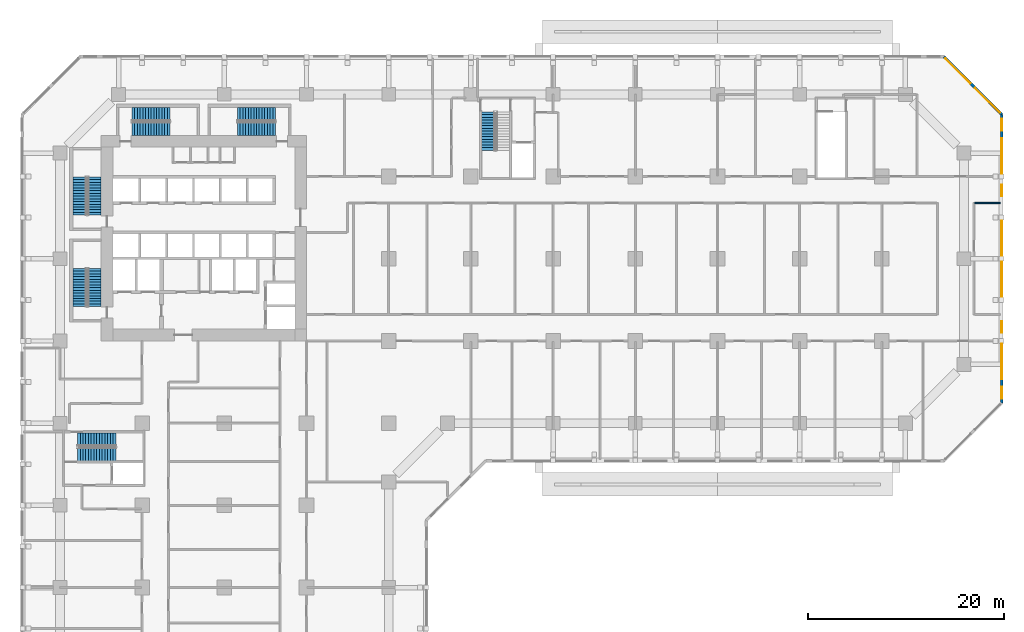
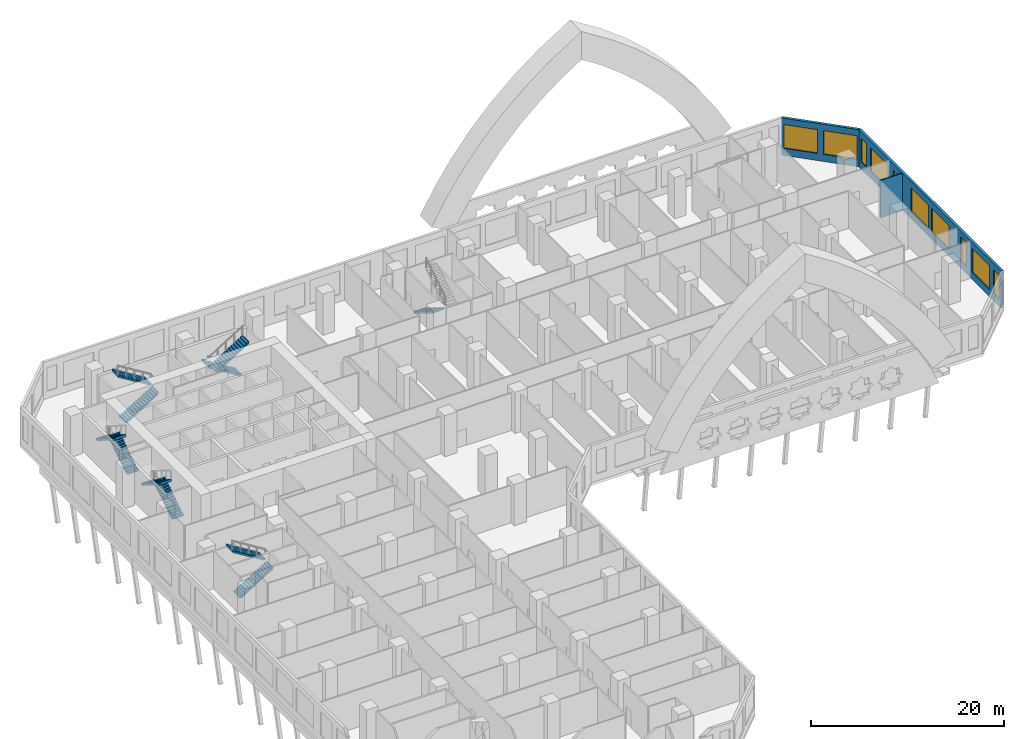
# One storey, part 17 of 25: 11 stair flights, 10 windows, 3 walls, 10 openings, 6 elements without a shape of their own.
"""IFC4 building model written with IfcOpenShell, lengths in metres."""

from ifc_helpers import new_model, si_unit, direction, frame, frame_2d, origin, place, context, subcontext, project, spatial, polyline, rectangle, outline, extrude, material, layer, layer_set, type_object, element, fill, aggregate, save


model = new_model("IFC4")

# Units and contexts
model_context = context("Model", 3, precision=1e-05, world=origin(), true_north=direction((0.0, 1.0)))
body_context = subcontext(model_context, "Body", "Model", "MODEL_VIEW")
ifc_project = project(units=[si_unit("LENGTHUNIT", "METRE"), si_unit("AREAUNIT", "SQUARE_METRE"), si_unit("VOLUMEUNIT", "CUBIC_METRE"), si_unit("PLANEANGLEUNIT", "RADIAN"), si_unit("MASSUNIT", "GRAM", prefix="KILO")], contexts=[model_context])

# Site, building, storey
site_placement = place(None, origin())
site = spatial("IfcSite", under=ifc_project, at=site_placement, CompositionType="ELEMENT")
building_placement = place(site_placement, origin())
building = spatial("IfcBuilding", under=site, at=building_placement, Name="Kawkab Arch Medical Tower", CompositionType="ELEMENT")
storey_placement = place(building_placement, frame((0.0, 0.0, 29.0)))
storey = spatial("IfcBuildingStorey", under=building, at=storey_placement, Name="L06", CompositionType="ELEMENT", Elevation=29.0)

# Wall
ifc_material_1 = material(Name="Gypsum board partition on steel studs, mineral wool", Category="steel")
ifc_layer_1 = layer(ifc_material_1, 0.14990234375)
ifc_layer_set_1 = layer_set([ifc_layer_1], Name="Gypsum board partition on steel studs, mineral wool")
wall_type_1 = type_object("IfcWallType", Name="Partition 150", PredefinedType="PARTITIONING", material=ifc_layer_set_1)
wall_1_placement = place(storey_placement, frame((93.47509765625, -11.10009765625, 0.0), z_axis=(0.0, 0.0, 1.0), x_axis=(1.0, 0.0, 0.0)))
element("IfcWall", 1, at=wall_1_placement, inside=storey, type_object=wall_type_1, Name="Partition 150 w048", PredefinedType="PARTITIONING", context=body_context, shape_type="SweptSolid", body=[
    extrude(rectangle(XDim=2.60498046875, YDim=0.14990234375, at=frame_2d((1.302490234375, 0.0))), origin(), (0.0, 0.0, 1.0), 4.699951171875),
])

# Wall, openings, windows
ifc_material_2 = material(Name="Bronze clad insulated wall panel")
ifc_layer_2 = layer(ifc_material_2, 0.300048828125)
ifc_layer_set_2 = layer_set([ifc_layer_2], Name="Bronze clad insulated wall panel")
wall_type_2 = type_object("IfcWallType", Name="Podium external wall 300", PredefinedType="SOLIDWALL", material=ifc_layer_set_2)
wall_2_placement = place(storey_placement, frame((96.25, -31.537841796875, 0.0), z_axis=(0.0, 0.0, 1.0), x_axis=(0.0, 1.0, 0.0)))
wall_2 = element("IfcWall", 2, at=wall_2_placement, inside=storey, type_object=wall_type_2, Name="Podium external wall L06 R09", PredefinedType="SOLIDWALL", context=body_context, shape_type="SweptSolid", body=[
    extrude(rectangle(XDim=29.475830078125, YDim=0.300048828125, at=frame_2d((14.73779296875, 0.0))), origin(), (0.0, 0.0, 1.0), 4.699951171875),
])
opening_1_placement = place(wall_2_placement, frame((0.43798828125, 0.0, 0.89990234375)))
opening_1 = element("IfcOpeningElement", 3, at=opening_1_placement, cuts=wall_2, Name="Opening PBW120-30-S9", PredefinedType="OPENING", context=body_context, shape_type="SweptSolid", body=[
    extrude(rectangle(XDim=1.199951171875, YDim=3.0, at=frame_2d((0.60009765625, 1.5))), frame((0.0, 0.159912109375, 0.0), z_axis=(0.0, -1.0, 0.0), x_axis=(1.0, 0.0, 0.0)), (0.0, 0.0, 1.0), 0.320068359375),
])
opening_2_placement = place(wall_2_placement, frame((2.43798828125, 0.0, 0.89990234375)))
opening_2 = element("IfcOpeningElement", 4, at=opening_2_placement, cuts=wall_2, Name="Opening PBW360-30-S9", PredefinedType="OPENING", context=body_context, shape_type="SweptSolid", body=[
    extrude(rectangle(XDim=3.60009765625, YDim=3.0, at=frame_2d((1.800048828125, 1.5))), frame((0.0, 0.159912109375, 0.0), z_axis=(0.0, -1.0, 0.0), x_axis=(1.0, 0.0, 0.0)), (0.0, 0.0, 1.0), 0.320068359375),
])
opening_3_placement = place(wall_2_placement, frame((7.162841796875, 0.0, 0.89990234375)))
opening_3 = element("IfcOpeningElement", 5, at=opening_3_placement, cuts=wall_2, Name="Opening PBW120-30-S9", PredefinedType="OPENING", context=body_context, shape_type="SweptSolid", body=[
    extrude(rectangle(XDim=1.199951171875, YDim=3.0, at=frame_2d((0.60009765625, 1.5))), frame((0.0, 0.159912109375, 0.0), z_axis=(0.0, -1.0, 0.0), x_axis=(1.0, 0.0, 0.0)), (0.0, 0.0, 1.0), 0.320068359375),
])
opening_4_placement = place(wall_2_placement, frame((10.837890625, 0.0, 0.89990234375)))
opening_4 = element("IfcOpeningElement", 6, at=opening_4_placement, cuts=wall_2, Name="Opening PBW360-30-S9", PredefinedType="OPENING", context=body_context, shape_type="SweptSolid", body=[
    extrude(rectangle(XDim=3.60009765625, YDim=3.0, at=frame_2d((1.800048828125, 1.5))), frame((0.0, 0.159912109375, 0.0), z_axis=(0.0, -1.0, 0.0), x_axis=(1.0, 0.0, 0.0)), (0.0, 0.0, 1.0), 0.320068359375),
])
opening_5_placement = place(wall_2_placement, frame((15.037841796875, 0.0, 0.89990234375)))
opening_5 = element("IfcOpeningElement", 7, at=opening_5_placement, cuts=wall_2, Name="Opening PBW360-30-S9", PredefinedType="OPENING", context=body_context, shape_type="SweptSolid", body=[
    extrude(rectangle(XDim=3.60009765625, YDim=3.0, at=frame_2d((1.800048828125, 1.5))), frame((0.0, 0.159912109375, 0.0), z_axis=(0.0, -1.0, 0.0), x_axis=(1.0, 0.0, 0.0)), (0.0, 0.0, 1.0), 0.320068359375),
])
opening_6_placement = place(wall_2_placement, frame((21.11279296875, 0.0, 0.89990234375)))
opening_6 = element("IfcOpeningElement", 8, at=opening_6_placement, cuts=wall_2, Name="Opening PBW120-30-S9", PredefinedType="OPENING", context=body_context, shape_type="SweptSolid", body=[
    extrude(rectangle(XDim=1.199951171875, YDim=3.0, at=frame_2d((0.60009765625, 1.5))), frame((0.0, 0.159912109375, 0.0), z_axis=(0.0, -1.0, 0.0), x_axis=(1.0, 0.0, 0.0)), (0.0, 0.0, 1.0), 0.320068359375),
])
opening_7_placement = place(wall_2_placement, frame((23.43798828125, 0.0, 0.89990234375)))
opening_7 = element("IfcOpeningElement", 9, at=opening_7_placement, cuts=wall_2, Name="Opening PBW360-30-S9", PredefinedType="OPENING", context=body_context, shape_type="SweptSolid", body=[
    extrude(rectangle(XDim=3.60009765625, YDim=3.0, at=frame_2d((1.800048828125, 1.5))), frame((0.0, 0.159912109375, 0.0), z_axis=(0.0, -1.0, 0.0), x_axis=(1.0, 0.0, 0.0)), (0.0, 0.0, 1.0), 0.320068359375),
])
opening_8_placement = place(wall_2_placement, frame((27.837890625, 0.0, 0.89990234375)))
opening_8 = element("IfcOpeningElement", 10, at=opening_8_placement, cuts=wall_2, Name="Opening PBW120-30-S9", PredefinedType="OPENING", context=body_context, shape_type="SweptSolid", body=[
    extrude(rectangle(XDim=1.199951171875, YDim=3.0, at=frame_2d((0.60009765625, 1.5))), frame((0.0, 0.159912109375, 0.0), z_axis=(0.0, -1.0, 0.0), x_axis=(1.0, 0.0, 0.0)), (0.0, 0.0, 1.0), 0.320068359375),
])
ifc_material_3 = material(Name="Bronze anodised aluminium louvred window", Category="aluminium")
window_type_1 = type_object("IfcWindowType", Name="Podium band window 1200 x 3000 sill 900", PartitioningType="DOUBLE_PANEL_VERTICAL", PredefinedType="WINDOW", material=ifc_material_3)
window_1_placement = place(opening_1_placement, origin())
window_1 = element("IfcWindow", 11, at=window_1_placement, inside=storey, type_object=window_type_1, Name="Band window L06 R09.1", OverallHeight=3.0, OverallWidth=1.199951171875, PartitioningType="SINGLE_PANEL", PredefinedType="WINDOW", context=body_context, shape_type="SweptSolid", body=[
    extrude(rectangle(XDim=1.199951171875, YDim=3.0, at=frame_2d((0.60009765625, 1.5))), frame((0.0, 0.030029296875, 0.0), z_axis=(0.0, -1.0, 0.0), x_axis=(1.0, 0.0, 0.0)), (0.0, 0.0, 1.0), 0.06005859375),
])
fill(opening_1, window_1)
window_2_placement = place(opening_3_placement, origin())
window_2 = element("IfcWindow", 12, at=window_2_placement, inside=storey, type_object=window_type_1, Name="Band window L06 R09.3", OverallHeight=3.0, OverallWidth=1.199951171875, PartitioningType="SINGLE_PANEL", PredefinedType="WINDOW", context=body_context, shape_type="SweptSolid", body=[
    extrude(rectangle(XDim=1.199951171875, YDim=3.0, at=frame_2d((0.60009765625, 1.5))), frame((0.0, 0.030029296875, 0.0), z_axis=(0.0, -1.0, 0.0), x_axis=(1.0, 0.0, 0.0)), (0.0, 0.0, 1.0), 0.06005859375),
])
fill(opening_3, window_2)
window_3_placement = place(opening_6_placement, origin())
window_3 = element("IfcWindow", 13, at=window_3_placement, inside=storey, type_object=window_type_1, Name="Band window L06 R09.6", OverallHeight=3.0, OverallWidth=1.199951171875, PartitioningType="SINGLE_PANEL", PredefinedType="WINDOW", context=body_context, shape_type="SweptSolid", body=[
    extrude(rectangle(XDim=1.199951171875, YDim=3.0, at=frame_2d((0.60009765625, 1.5))), frame((0.0, 0.030029296875, 0.0), z_axis=(0.0, -1.0, 0.0), x_axis=(1.0, 0.0, 0.0)), (0.0, 0.0, 1.0), 0.06005859375),
])
fill(opening_6, window_3)
window_4_placement = place(opening_8_placement, origin())
window_4 = element("IfcWindow", 14, at=window_4_placement, inside=storey, type_object=window_type_1, Name="Band window L06 R09.8", OverallHeight=3.0, OverallWidth=1.199951171875, PartitioningType="SINGLE_PANEL", PredefinedType="WINDOW", context=body_context, shape_type="SweptSolid", body=[
    extrude(rectangle(XDim=1.199951171875, YDim=3.0, at=frame_2d((0.60009765625, 1.5))), frame((0.0, 0.030029296875, 0.0), z_axis=(0.0, -1.0, 0.0), x_axis=(1.0, 0.0, 0.0)), (0.0, 0.0, 1.0), 0.06005859375),
])
fill(opening_8, window_4)
ifc_material_4 = material(Name="Bronze anodised aluminium louvred window", Category="aluminium")
window_type_2 = type_object("IfcWindowType", Name="Podium band window 3600 x 3000 sill 900", PartitioningType="DOUBLE_PANEL_VERTICAL", PredefinedType="WINDOW", material=ifc_material_4)
window_5_placement = place(opening_2_placement, origin())
window_5 = element("IfcWindow", 15, at=window_5_placement, inside=storey, type_object=window_type_2, Name="Band window L06 R09.2", OverallHeight=3.0, OverallWidth=3.60009765625, PartitioningType="SINGLE_PANEL", PredefinedType="WINDOW", context=body_context, shape_type="SweptSolid", body=[
    extrude(rectangle(XDim=3.60009765625, YDim=3.0, at=frame_2d((1.800048828125, 1.5))), frame((0.0, 0.030029296875, 0.0), z_axis=(0.0, -1.0, 0.0), x_axis=(1.0, 0.0, 0.0)), (0.0, 0.0, 1.0), 0.06005859375),
])
fill(opening_2, window_5)
window_6_placement = place(opening_4_placement, origin())
window_6 = element("IfcWindow", 16, at=window_6_placement, inside=storey, type_object=window_type_2, Name="Band window L06 R09.4", OverallHeight=3.0, OverallWidth=3.60009765625, PartitioningType="SINGLE_PANEL", PredefinedType="WINDOW", context=body_context, shape_type="SweptSolid", body=[
    extrude(rectangle(XDim=3.60009765625, YDim=3.0, at=frame_2d((1.800048828125, 1.5))), frame((0.0, 0.030029296875, 0.0), z_axis=(0.0, -1.0, 0.0), x_axis=(1.0, 0.0, 0.0)), (0.0, 0.0, 1.0), 0.06005859375),
])
fill(opening_4, window_6)
window_7_placement = place(opening_5_placement, origin())
window_7 = element("IfcWindow", 17, at=window_7_placement, inside=storey, type_object=window_type_2, Name="Band window L06 R09.5", OverallHeight=3.0, OverallWidth=3.60009765625, PartitioningType="SINGLE_PANEL", PredefinedType="WINDOW", context=body_context, shape_type="SweptSolid", body=[
    extrude(rectangle(XDim=3.60009765625, YDim=3.0, at=frame_2d((1.800048828125, 1.5))), frame((0.0, 0.030029296875, 0.0), z_axis=(0.0, -1.0, 0.0), x_axis=(1.0, 0.0, 0.0)), (0.0, 0.0, 1.0), 0.06005859375),
])
fill(opening_5, window_7)
window_8_placement = place(opening_7_placement, origin())
window_8 = element("IfcWindow", 18, at=window_8_placement, inside=storey, type_object=window_type_2, Name="Band window L06 R09.7", OverallHeight=3.0, OverallWidth=3.60009765625, PartitioningType="SINGLE_PANEL", PredefinedType="WINDOW", context=body_context, shape_type="SweptSolid", body=[
    extrude(rectangle(XDim=3.60009765625, YDim=3.0, at=frame_2d((1.800048828125, 1.5))), frame((0.0, 0.030029296875, 0.0), z_axis=(0.0, -1.0, 0.0), x_axis=(1.0, 0.0, 0.0)), (0.0, 0.0, 1.0), 0.06005859375),
])
fill(opening_7, window_8)

wall_3_placement = place(storey_placement, frame((96.25, -2.06201171875, 0.0), z_axis=(0.0, 0.0, 1.0), x_axis=(-0.707106781187, 0.707106781187, 0.0)))
wall_3 = element("IfcWall", 19, at=wall_3_placement, inside=storey, type_object=wall_type_2, Name="Podium external wall L06 R10", PredefinedType="SOLIDWALL", context=body_context, shape_type="SweptSolid", body=[
    extrude(rectangle(XDim=8.361083984375, YDim=0.300048828125, at=frame_2d((4.1806640625, 0.0))), origin(), (0.0, 0.0, 1.0), 4.699951171875),
])
opening_9_placement = place(wall_3_placement, frame((0.259033203125, 0.0, 0.89990234375)))
opening_9 = element("IfcOpeningElement", 20, at=opening_9_placement, cuts=wall_3, Name="Opening PBW360-30-S9", PredefinedType="OPENING", context=body_context, shape_type="SweptSolid", body=[
    extrude(rectangle(XDim=3.60009765625, YDim=3.0, at=frame_2d((1.800048828125, 1.5))), frame((0.0, 0.159912109375, 0.0), z_axis=(0.0, -1.0, 0.0), x_axis=(1.0, 0.0, 0.0)), (0.0, 0.0, 1.0), 0.320068359375),
])
opening_10_placement = place(wall_3_placement, frame((4.501708984375, 0.0, 0.89990234375)))
opening_10 = element("IfcOpeningElement", 21, at=opening_10_placement, cuts=wall_3, Name="Opening PBW360-30-S9", PredefinedType="OPENING", context=body_context, shape_type="SweptSolid", body=[
    extrude(rectangle(XDim=3.60009765625, YDim=3.0, at=frame_2d((1.800048828125, 1.5))), frame((0.0, 0.159912109375, 0.0), z_axis=(0.0, -1.0, 0.0), x_axis=(1.0, 0.0, 0.0)), (0.0, 0.0, 1.0), 0.320068359375),
])
window_9_placement = place(opening_9_placement, origin())
window_9 = element("IfcWindow", 22, at=window_9_placement, inside=storey, type_object=window_type_2, Name="Band window L06 R10.1", OverallHeight=3.0, OverallWidth=3.60009765625, PartitioningType="SINGLE_PANEL", PredefinedType="WINDOW", context=body_context, shape_type="SweptSolid", body=[
    extrude(rectangle(XDim=3.60009765625, YDim=3.0, at=frame_2d((1.800048828125, 1.5))), frame((0.0, 0.030029296875, 0.0), z_axis=(0.0, -1.0, 0.0), x_axis=(1.0, 0.0, 0.0)), (0.0, 0.0, 1.0), 0.06005859375),
])
fill(opening_9, window_9)
window_10_placement = place(opening_10_placement, origin())
window_10 = element("IfcWindow", 23, at=window_10_placement, inside=storey, type_object=window_type_2, Name="Band window L06 R10.2", OverallHeight=3.0, OverallWidth=3.60009765625, PartitioningType="SINGLE_PANEL", PredefinedType="WINDOW", context=body_context, shape_type="SweptSolid", body=[
    extrude(rectangle(XDim=3.60009765625, YDim=3.0, at=frame_2d((1.800048828125, 1.5))), frame((0.0, 0.030029296875, 0.0), z_axis=(0.0, -1.0, 0.0), x_axis=(1.0, 0.0, 0.0)), (0.0, 0.0, 1.0), 0.06005859375),
])
fill(opening_10, window_10)

# Stair, stair flights
ifc_material_5 = material(Name="Concrete C40/50", Category="concrete")
stair_type = type_object("IfcStairType", Name="Exit stair 1350", PredefinedType="HALF_TURN_STAIR", material=ifc_material_5)
placement = place(storey_placement, origin())
stair_1 = element("IfcStair", 24, at=placement, inside=storey, type_object=stair_type, Name="L06 Exit stair ST1", PredefinedType="HALF_TURN_STAIR")
ifc_material_6 = material(Name="Concrete C40/50", Category="concrete")
stair_flight_type = type_object("IfcStairFlightType", Name="Exit stair flight 1350", PredefinedType="STRAIGHT", material=ifc_material_6)
stair_flight_1_placement = place(storey_placement, frame((3.52490234375, -12.35009765625, 0.0), z_axis=(0.0, 0.0, 1.0), x_axis=(0.0, 1.0, 0.0)))
stair_flight_1 = element("IfcStairFlight", 25, at=stair_flight_1_placement, type_object=stair_flight_type, Name="ST1 flight 1", NumberOfRisers=15, NumberOfTreads=14, PredefinedType="STRAIGHT", RiserHeight=0.173333333, TreadLength=0.28, context=body_context, shape_type="SweptSolid", body=[
    extrude(outline(polyline([(-0.0029296875, 0.0), (-0.0029296875, 0.17333984375), (0.0, 0.17333984375), (0.280029296875, 0.17333984375), (0.280029296875, 0.3466796875), (0.56005859375, 0.3466796875), (0.56005859375, 0.52001953125), (0.840087890625, 0.52001953125), (0.840087890625, 0.693359375), (1.1201171875, 0.693359375), (1.1201171875, 0.86669921875), (1.39990234375, 0.86669921875), (1.39990234375, 1.0400390625), (1.679931640625, 1.0400390625), (1.679931640625, 1.21337890625), (1.9599609375, 1.21337890625), (1.9599609375, 1.38671875), (2.239990234375, 1.38671875), (2.239990234375, 1.56005859375), (2.52001953125, 1.56005859375), (2.52001953125, 1.7333984375), (2.800048828125, 1.7333984375), (2.800048828125, 1.90673828125), (3.080078125, 1.90673828125), (3.080078125, 2.080078125), (3.360107421875, 2.080078125), (3.360107421875, 2.25341796875), (3.639892578125, 2.25341796875), (3.639892578125, 2.4267578125), (3.919921875, 2.4267578125), (3.919921875, 2.60009765625), (3.923095703125, 2.60009765625), (3.923095703125, 2.250244140625), (3.919921875, 2.250244140625), (0.284912109375, 0.0), (-0.0029296875, 0.0)])), frame((0.0, 0.675048828125, 0.0), z_axis=(0.0, -1.0, 0.0), x_axis=(1.0, 0.0, 0.0)), (0.0, 0.0, 1.0), 1.35009765625),
])
stair_flight_2_placement = place(storey_placement, frame((2.02490234375, -8.429931640625, 2.60009765625), z_axis=(0.0, 0.0, 1.0), x_axis=(0.0, -1.0, 0.0)))
stair_flight_2 = element("IfcStairFlight", 26, at=stair_flight_2_placement, type_object=stair_flight_type, Name="ST1 flight 2", NumberOfRisers=15, NumberOfTreads=14, PredefinedType="STRAIGHT", RiserHeight=0.173333333, TreadLength=0.28, context=body_context, shape_type="SweptSolid", body=[
    extrude(outline(polyline([(-0.0029296875, 0.0), (-0.0029296875, 0.17333984375), (0.0, 0.17333984375), (0.280029296875, 0.17333984375), (0.280029296875, 0.3466796875), (0.56005859375, 0.3466796875), (0.56005859375, 0.52001953125), (0.840087890625, 0.52001953125), (0.840087890625, 0.693359375), (1.1201171875, 0.693359375), (1.1201171875, 0.86669921875), (1.39990234375, 0.86669921875), (1.39990234375, 1.0400390625), (1.679931640625, 1.0400390625), (1.679931640625, 1.21337890625), (1.9599609375, 1.21337890625), (1.9599609375, 1.38671875), (2.239990234375, 1.38671875), (2.239990234375, 1.56005859375), (2.52001953125, 1.56005859375), (2.52001953125, 1.7333984375), (2.800048828125, 1.7333984375), (2.800048828125, 1.90673828125), (3.080078125, 1.90673828125), (3.080078125, 2.080078125), (3.360107421875, 2.080078125), (3.360107421875, 2.25341796875), (3.639892578125, 2.25341796875), (3.639892578125, 2.4267578125), (3.919921875, 2.4267578125), (3.919921875, 2.60009765625), (3.923095703125, 2.60009765625), (3.923095703125, 2.250244140625), (3.919921875, 2.250244140625), (0.284912109375, 0.0), (-0.0029296875, 0.0)])), frame((0.0, 0.675048828125, 0.0), z_axis=(0.0, -1.0, 0.0), x_axis=(1.0, 0.0, 0.0)), (0.0, 0.0, 1.0), 1.35009765625),
])
aggregate(stair_1, [stair_flight_1, stair_flight_2])

stair_2 = element("IfcStair", 27, at=placement, inside=storey, type_object=stair_type, Name="L06 Exit stair ST2", PredefinedType="HALF_TURN_STAIR")
stair_flight_3_placement = place(storey_placement, frame((3.52490234375, -21.699951171875, 0.0), z_axis=(0.0, 0.0, 1.0), x_axis=(0.0, 1.0, 0.0)))
stair_flight_3 = element("IfcStairFlight", 28, at=stair_flight_3_placement, type_object=stair_flight_type, Name="ST2 flight 1", NumberOfRisers=15, NumberOfTreads=14, PredefinedType="STRAIGHT", RiserHeight=0.173333333, TreadLength=0.28, context=body_context, shape_type="SweptSolid", body=[
    extrude(outline(polyline([(-0.0029296875, 0.0), (-0.0029296875, 0.17333984375), (0.0, 0.17333984375), (0.280029296875, 0.17333984375), (0.280029296875, 0.3466796875), (0.56005859375, 0.3466796875), (0.56005859375, 0.52001953125), (0.840087890625, 0.52001953125), (0.840087890625, 0.693359375), (1.1201171875, 0.693359375), (1.1201171875, 0.86669921875), (1.39990234375, 0.86669921875), (1.39990234375, 1.0400390625), (1.679931640625, 1.0400390625), (1.679931640625, 1.21337890625), (1.9599609375, 1.21337890625), (1.9599609375, 1.38671875), (2.239990234375, 1.38671875), (2.239990234375, 1.56005859375), (2.52001953125, 1.56005859375), (2.52001953125, 1.7333984375), (2.800048828125, 1.7333984375), (2.800048828125, 1.90673828125), (3.080078125, 1.90673828125), (3.080078125, 2.080078125), (3.360107421875, 2.080078125), (3.360107421875, 2.25341796875), (3.639892578125, 2.25341796875), (3.639892578125, 2.4267578125), (3.919921875, 2.4267578125), (3.919921875, 2.60009765625), (3.923095703125, 2.60009765625), (3.923095703125, 2.250244140625), (3.919921875, 2.250244140625), (0.284912109375, 0.0), (-0.0029296875, 0.0)])), frame((0.0, 0.675048828125, 0.0), z_axis=(0.0, -1.0, 0.0), x_axis=(1.0, 0.0, 0.0)), (0.0, 0.0, 1.0), 1.35009765625),
])
stair_flight_4_placement = place(storey_placement, frame((2.02490234375, -17.780029296875, 2.60009765625), z_axis=(0.0, 0.0, 1.0), x_axis=(0.0, -1.0, 0.0)))
stair_flight_4 = element("IfcStairFlight", 29, at=stair_flight_4_placement, type_object=stair_flight_type, Name="ST2 flight 2", NumberOfRisers=15, NumberOfTreads=14, PredefinedType="STRAIGHT", RiserHeight=0.173333333, TreadLength=0.28, context=body_context, shape_type="SweptSolid", body=[
    extrude(outline(polyline([(-0.0029296875, 0.0), (-0.0029296875, 0.17333984375), (0.0, 0.17333984375), (0.280029296875, 0.17333984375), (0.280029296875, 0.3466796875), (0.56005859375, 0.3466796875), (0.56005859375, 0.52001953125), (0.840087890625, 0.52001953125), (0.840087890625, 0.693359375), (1.1201171875, 0.693359375), (1.1201171875, 0.86669921875), (1.39990234375, 0.86669921875), (1.39990234375, 1.0400390625), (1.679931640625, 1.0400390625), (1.679931640625, 1.21337890625), (1.9599609375, 1.21337890625), (1.9599609375, 1.38671875), (2.239990234375, 1.38671875), (2.239990234375, 1.56005859375), (2.52001953125, 1.56005859375), (2.52001953125, 1.7333984375), (2.800048828125, 1.7333984375), (2.800048828125, 1.90673828125), (3.080078125, 1.90673828125), (3.080078125, 2.080078125), (3.360107421875, 2.080078125), (3.360107421875, 2.25341796875), (3.639892578125, 2.25341796875), (3.639892578125, 2.4267578125), (3.919921875, 2.4267578125), (3.919921875, 2.60009765625), (3.923095703125, 2.60009765625), (3.923095703125, 2.250244140625), (3.919921875, 2.250244140625), (0.284912109375, 0.0), (-0.0029296875, 0.0)])), frame((0.0, 0.675048828125, 0.0), z_axis=(0.0, -1.0, 0.0), x_axis=(1.0, 0.0, 0.0)), (0.0, 0.0, 1.0), 1.35009765625),
])
aggregate(stair_2, [stair_flight_3, stair_flight_4])

stair_3 = element("IfcStair", 30, at=placement, inside=storey, type_object=stair_type, Name="L06 Exit stair ST3", PredefinedType="HALF_TURN_STAIR")
stair_flight_5_placement = place(storey_placement, frame((7.35009765625, -3.52490234375, 0.0), z_axis=(0.0, 0.0, 1.0), x_axis=(1.0, 0.0, 0.0)))
stair_flight_5 = element("IfcStairFlight", 31, at=stair_flight_5_placement, type_object=stair_flight_type, Name="ST3 flight 1", NumberOfRisers=15, NumberOfTreads=14, PredefinedType="STRAIGHT", RiserHeight=0.173333333, TreadLength=0.28, context=body_context, shape_type="SweptSolid", body=[
    extrude(outline(polyline([(-0.0029296875, 0.0), (-0.0029296875, 0.17333984375), (0.0, 0.17333984375), (0.280029296875, 0.17333984375), (0.280029296875, 0.3466796875), (0.56005859375, 0.3466796875), (0.56005859375, 0.52001953125), (0.840087890625, 0.52001953125), (0.840087890625, 0.693359375), (1.1201171875, 0.693359375), (1.1201171875, 0.86669921875), (1.39990234375, 0.86669921875), (1.39990234375, 1.0400390625), (1.679931640625, 1.0400390625), (1.679931640625, 1.21337890625), (1.9599609375, 1.21337890625), (1.9599609375, 1.38671875), (2.239990234375, 1.38671875), (2.239990234375, 1.56005859375), (2.52001953125, 1.56005859375), (2.52001953125, 1.7333984375), (2.800048828125, 1.7333984375), (2.800048828125, 1.90673828125), (3.080078125, 1.90673828125), (3.080078125, 2.080078125), (3.360107421875, 2.080078125), (3.360107421875, 2.25341796875), (3.639892578125, 2.25341796875), (3.639892578125, 2.4267578125), (3.919921875, 2.4267578125), (3.919921875, 2.60009765625), (3.923095703125, 2.60009765625), (3.923095703125, 2.250244140625), (3.919921875, 2.250244140625), (0.284912109375, 0.0), (-0.0029296875, 0.0)])), frame((0.0, 0.675048828125, 0.0), z_axis=(0.0, -1.0, 0.0), x_axis=(1.0, 0.0, 0.0)), (0.0, 0.0, 1.0), 1.35009765625),
])
stair_flight_6_placement = place(storey_placement, frame((11.27001953125, -2.02490234375, 2.60009765625), z_axis=(0.0, 0.0, 1.0), x_axis=(-1.0, 0.0, 0.0)))
stair_flight_6 = element("IfcStairFlight", 32, at=stair_flight_6_placement, type_object=stair_flight_type, Name="ST3 flight 2", NumberOfRisers=15, NumberOfTreads=14, PredefinedType="STRAIGHT", RiserHeight=0.173333333, TreadLength=0.28, context=body_context, shape_type="SweptSolid", body=[
    extrude(outline(polyline([(-0.0029296875, 0.0), (-0.0029296875, 0.17333984375), (0.0, 0.17333984375), (0.280029296875, 0.17333984375), (0.280029296875, 0.3466796875), (0.56005859375, 0.3466796875), (0.56005859375, 0.52001953125), (0.840087890625, 0.52001953125), (0.840087890625, 0.693359375), (1.1201171875, 0.693359375), (1.1201171875, 0.86669921875), (1.39990234375, 0.86669921875), (1.39990234375, 1.0400390625), (1.679931640625, 1.0400390625), (1.679931640625, 1.21337890625), (1.9599609375, 1.21337890625), (1.9599609375, 1.38671875), (2.239990234375, 1.38671875), (2.239990234375, 1.56005859375), (2.52001953125, 1.56005859375), (2.52001953125, 1.7333984375), (2.800048828125, 1.7333984375), (2.800048828125, 1.90673828125), (3.080078125, 1.90673828125), (3.080078125, 2.080078125), (3.360107421875, 2.080078125), (3.360107421875, 2.25341796875), (3.639892578125, 2.25341796875), (3.639892578125, 2.4267578125), (3.919921875, 2.4267578125), (3.919921875, 2.60009765625), (3.923095703125, 2.60009765625), (3.923095703125, 2.250244140625), (3.919921875, 2.250244140625), (0.284912109375, 0.0), (-0.0029296875, 0.0)])), frame((0.0, 0.675048828125, 0.0), z_axis=(0.0, -1.0, 0.0), x_axis=(1.0, 0.0, 0.0)), (0.0, 0.0, 1.0), 1.35009765625),
])
aggregate(stair_3, [stair_flight_5, stair_flight_6])

stair_4 = element("IfcStair", 33, at=placement, inside=storey, type_object=stair_type, Name="L06 Exit stair ST4", PredefinedType="HALF_TURN_STAIR")
stair_flight_7_placement = place(storey_placement, frame((22.050048828125, -2.02490234375, 0.0), z_axis=(0.0, 0.0, 1.0), x_axis=(-1.0, 0.0, 0.0)))
stair_flight_7 = element("IfcStairFlight", 34, at=stair_flight_7_placement, type_object=stair_flight_type, Name="ST4 flight 1", NumberOfRisers=15, NumberOfTreads=14, PredefinedType="STRAIGHT", RiserHeight=0.173333333, TreadLength=0.28, context=body_context, shape_type="SweptSolid", body=[
    extrude(outline(polyline([(-0.0029296875, 0.0), (-0.0029296875, 0.17333984375), (0.0, 0.17333984375), (0.280029296875, 0.17333984375), (0.280029296875, 0.3466796875), (0.56005859375, 0.3466796875), (0.56005859375, 0.52001953125), (0.840087890625, 0.52001953125), (0.840087890625, 0.693359375), (1.1201171875, 0.693359375), (1.1201171875, 0.86669921875), (1.39990234375, 0.86669921875), (1.39990234375, 1.0400390625), (1.679931640625, 1.0400390625), (1.679931640625, 1.21337890625), (1.9599609375, 1.21337890625), (1.9599609375, 1.38671875), (2.239990234375, 1.38671875), (2.239990234375, 1.56005859375), (2.52001953125, 1.56005859375), (2.52001953125, 1.7333984375), (2.800048828125, 1.7333984375), (2.800048828125, 1.90673828125), (3.080078125, 1.90673828125), (3.080078125, 2.080078125), (3.360107421875, 2.080078125), (3.360107421875, 2.25341796875), (3.639892578125, 2.25341796875), (3.639892578125, 2.4267578125), (3.919921875, 2.4267578125), (3.919921875, 2.60009765625), (3.923095703125, 2.60009765625), (3.923095703125, 2.250244140625), (3.919921875, 2.250244140625), (0.284912109375, 0.0), (-0.0029296875, 0.0)])), frame((0.0, 0.675048828125, 0.0), z_axis=(0.0, -1.0, 0.0), x_axis=(1.0, 0.0, 0.0)), (0.0, 0.0, 1.0), 1.35009765625),
])
stair_flight_8_placement = place(storey_placement, frame((18.1298828125, -3.52490234375, 2.60009765625), z_axis=(0.0, 0.0, 1.0), x_axis=(1.0, 0.0, 0.0)))
stair_flight_8 = element("IfcStairFlight", 35, at=stair_flight_8_placement, type_object=stair_flight_type, Name="ST4 flight 2", NumberOfRisers=15, NumberOfTreads=14, PredefinedType="STRAIGHT", RiserHeight=0.173333333, TreadLength=0.28, context=body_context, shape_type="SweptSolid", body=[
    extrude(outline(polyline([(-0.0029296875, 0.0), (-0.0029296875, 0.17333984375), (0.0, 0.17333984375), (0.280029296875, 0.17333984375), (0.280029296875, 0.3466796875), (0.56005859375, 0.3466796875), (0.56005859375, 0.52001953125), (0.840087890625, 0.52001953125), (0.840087890625, 0.693359375), (1.1201171875, 0.693359375), (1.1201171875, 0.86669921875), (1.39990234375, 0.86669921875), (1.39990234375, 1.0400390625), (1.679931640625, 1.0400390625), (1.679931640625, 1.21337890625), (1.9599609375, 1.21337890625), (1.9599609375, 1.38671875), (2.239990234375, 1.38671875), (2.239990234375, 1.56005859375), (2.52001953125, 1.56005859375), (2.52001953125, 1.7333984375), (2.800048828125, 1.7333984375), (2.800048828125, 1.90673828125), (3.080078125, 1.90673828125), (3.080078125, 2.080078125), (3.360107421875, 2.080078125), (3.360107421875, 2.25341796875), (3.639892578125, 2.25341796875), (3.639892578125, 2.4267578125), (3.919921875, 2.4267578125), (3.919921875, 2.60009765625), (3.923095703125, 2.60009765625), (3.923095703125, 2.250244140625), (3.919921875, 2.250244140625), (0.284912109375, 0.0), (-0.0029296875, 0.0)])), frame((0.0, 0.675048828125, 0.0), z_axis=(0.0, -1.0, 0.0), x_axis=(1.0, 0.0, 0.0)), (0.0, 0.0, 1.0), 1.35009765625),
])
aggregate(stair_4, [stair_flight_7, stair_flight_8])

# Stair, stair flight
stair_5 = element("IfcStair", 36, at=placement, inside=storey, type_object=stair_type, Name="L06 Exit stair ST5", PredefinedType="HALF_TURN_STAIR")
stair_flight_9_placement = place(storey_placement, frame((43.77490234375, -1.800048828125, 0.0), z_axis=(0.0, 0.0, 1.0), x_axis=(0.0, -1.0, 0.0)))
stair_flight_9 = element("IfcStairFlight", 37, at=stair_flight_9_placement, type_object=stair_flight_type, Name="ST5 flight 1", NumberOfRisers=15, NumberOfTreads=14, PredefinedType="STRAIGHT", RiserHeight=0.173333333, TreadLength=0.28, context=body_context, shape_type="SweptSolid", body=[
    extrude(outline(polyline([(-0.0029296875, 0.0), (-0.0029296875, 0.17333984375), (0.0, 0.17333984375), (0.280029296875, 0.17333984375), (0.280029296875, 0.3466796875), (0.56005859375, 0.3466796875), (0.56005859375, 0.52001953125), (0.840087890625, 0.52001953125), (0.840087890625, 0.693359375), (1.1201171875, 0.693359375), (1.1201171875, 0.86669921875), (1.39990234375, 0.86669921875), (1.39990234375, 1.0400390625), (1.679931640625, 1.0400390625), (1.679931640625, 1.21337890625), (1.9599609375, 1.21337890625), (1.9599609375, 1.38671875), (2.239990234375, 1.38671875), (2.239990234375, 1.56005859375), (2.52001953125, 1.56005859375), (2.52001953125, 1.7333984375), (2.800048828125, 1.7333984375), (2.800048828125, 1.90673828125), (3.080078125, 1.90673828125), (3.080078125, 2.080078125), (3.360107421875, 2.080078125), (3.360107421875, 2.25341796875), (3.639892578125, 2.25341796875), (3.639892578125, 2.4267578125), (3.919921875, 2.4267578125), (3.919921875, 2.60009765625), (3.923095703125, 2.60009765625), (3.923095703125, 2.250244140625), (3.919921875, 2.250244140625), (0.284912109375, 0.0), (-0.0029296875, 0.0)])), frame((0.0, 0.675048828125, 0.0), z_axis=(0.0, -1.0, 0.0), x_axis=(1.0, 0.0, 0.0)), (0.0, 0.0, 1.0), 1.35009765625),
])
aggregate(stair_5, [stair_flight_9])

# Stair, stair flights
stair_6 = element("IfcStair", 38, at=placement, inside=storey, type_object=stair_type, Name="L06 Exit stair ST6", PredefinedType="HALF_TURN_STAIR")
stair_flight_10_placement = place(storey_placement, frame((1.800048828125, -36.77490234375, 0.0), z_axis=(0.0, 0.0, 1.0), x_axis=(1.0, 0.0, 0.0)))
stair_flight_10 = element("IfcStairFlight", 39, at=stair_flight_10_placement, type_object=stair_flight_type, Name="ST6 flight 1", NumberOfRisers=15, NumberOfTreads=14, PredefinedType="STRAIGHT", RiserHeight=0.173333333, TreadLength=0.28, context=body_context, shape_type="SweptSolid", body=[
    extrude(outline(polyline([(-0.0029296875, 0.0), (-0.0029296875, 0.17333984375), (0.0, 0.17333984375), (0.280029296875, 0.17333984375), (0.280029296875, 0.3466796875), (0.56005859375, 0.3466796875), (0.56005859375, 0.52001953125), (0.840087890625, 0.52001953125), (0.840087890625, 0.693359375), (1.1201171875, 0.693359375), (1.1201171875, 0.86669921875), (1.39990234375, 0.86669921875), (1.39990234375, 1.0400390625), (1.679931640625, 1.0400390625), (1.679931640625, 1.21337890625), (1.9599609375, 1.21337890625), (1.9599609375, 1.38671875), (2.239990234375, 1.38671875), (2.239990234375, 1.56005859375), (2.52001953125, 1.56005859375), (2.52001953125, 1.7333984375), (2.800048828125, 1.7333984375), (2.800048828125, 1.90673828125), (3.080078125, 1.90673828125), (3.080078125, 2.080078125), (3.360107421875, 2.080078125), (3.360107421875, 2.25341796875), (3.639892578125, 2.25341796875), (3.639892578125, 2.4267578125), (3.919921875, 2.4267578125), (3.919921875, 2.60009765625), (3.923095703125, 2.60009765625), (3.923095703125, 2.250244140625), (3.919921875, 2.250244140625), (0.284912109375, 0.0), (-0.0029296875, 0.0)])), frame((0.0, 0.675048828125, 0.0), z_axis=(0.0, -1.0, 0.0), x_axis=(1.0, 0.0, 0.0)), (0.0, 0.0, 1.0), 1.35009765625),
])
stair_flight_11_placement = place(storey_placement, frame((5.719970703125, -35.27490234375, 2.60009765625), z_axis=(0.0, 0.0, 1.0), x_axis=(-1.0, 0.0, 0.0)))
stair_flight_11 = element("IfcStairFlight", 40, at=stair_flight_11_placement, type_object=stair_flight_type, Name="ST6 flight 2", NumberOfRisers=15, NumberOfTreads=14, PredefinedType="STRAIGHT", RiserHeight=0.173333333, TreadLength=0.28, context=body_context, shape_type="SweptSolid", body=[
    extrude(outline(polyline([(-0.0029296875, 0.0), (-0.0029296875, 0.17333984375), (0.0, 0.17333984375), (0.280029296875, 0.17333984375), (0.280029296875, 0.3466796875), (0.56005859375, 0.3466796875), (0.56005859375, 0.52001953125), (0.840087890625, 0.52001953125), (0.840087890625, 0.693359375), (1.1201171875, 0.693359375), (1.1201171875, 0.86669921875), (1.39990234375, 0.86669921875), (1.39990234375, 1.0400390625), (1.679931640625, 1.0400390625), (1.679931640625, 1.21337890625), (1.9599609375, 1.21337890625), (1.9599609375, 1.38671875), (2.239990234375, 1.38671875), (2.239990234375, 1.56005859375), (2.52001953125, 1.56005859375), (2.52001953125, 1.7333984375), (2.800048828125, 1.7333984375), (2.800048828125, 1.90673828125), (3.080078125, 1.90673828125), (3.080078125, 2.080078125), (3.360107421875, 2.080078125), (3.360107421875, 2.25341796875), (3.639892578125, 2.25341796875), (3.639892578125, 2.4267578125), (3.919921875, 2.4267578125), (3.919921875, 2.60009765625), (3.923095703125, 2.60009765625), (3.923095703125, 2.250244140625), (3.919921875, 2.250244140625), (0.284912109375, 0.0), (-0.0029296875, 0.0)])), frame((0.0, 0.675048828125, 0.0), z_axis=(0.0, -1.0, 0.0), x_axis=(1.0, 0.0, 0.0)), (0.0, 0.0, 1.0), 1.35009765625),
])
aggregate(stair_6, [stair_flight_10, stair_flight_11])

save(model, "model.ifc")
